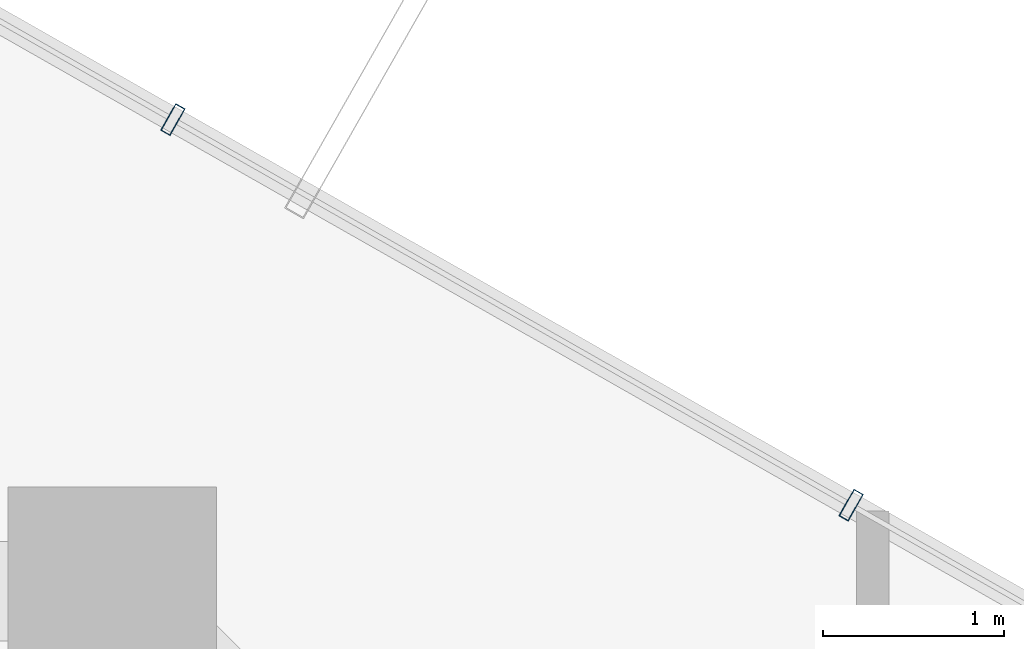
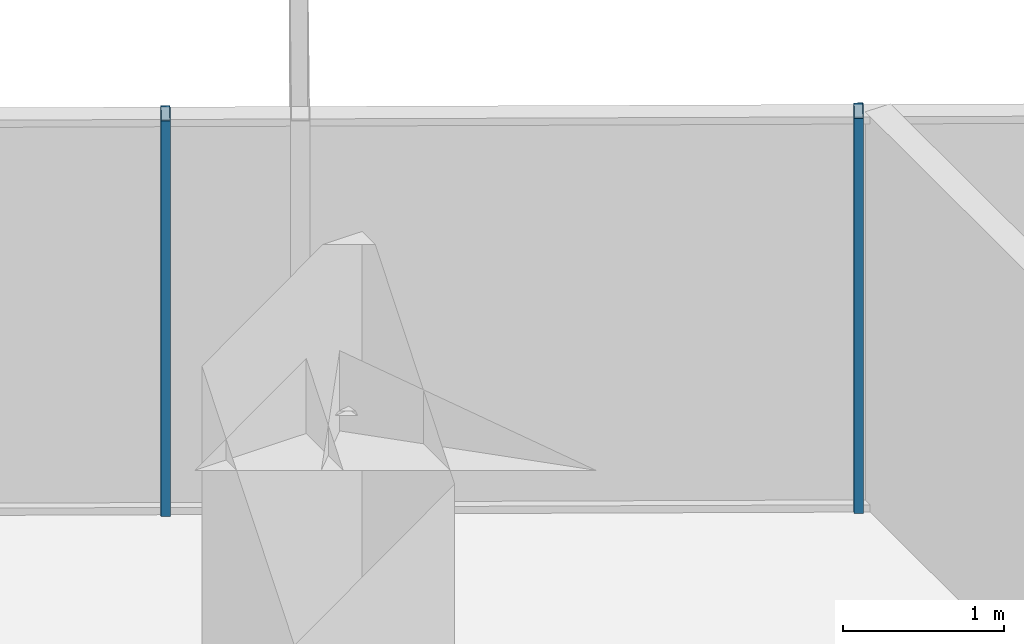
# One storey, part 21 of 30: 2 members, 1 element without a shape of its own.
"""IFC4 building model written with IfcOpenShell, lengths in metres."""

import ifcopenshell
import ifcopenshell.guid

model = None  # the IFC model being written
_history = None  # IfcOwnerHistory: only IFC2X3 demands one
_inside = {}  # id of a spatial element -> (the spatial element, [elements in it])
_under = {}  # id of a project, library or spatial element -> (it, [spatial elements below it])
_declared = {}  # id of a project -> (the project, [libraries it declares])
_typed = {}  # id of a type object -> (the type object, [elements of that type])
_made_of = {}  # id of a material, layer set ... -> (it, [elements and type objects made of it])


def new_model(schema):
    """Start an empty IFC model of exactly this schema.

    Asked for "IFC4X3", IfcOpenShell would pick the latest addendum, in which some entities
    have other attributes; the version numbers below select the first issue.
    IFC2X3 requires an IfcOwnerHistory on every rooted entity: one is made here for all.
    """
    global model, _history
    if schema == "IFC4X3":
        model = ifcopenshell.file(schema_version=(4, 3, 0, 0))
    else:
        model = ifcopenshell.file(schema=schema)
    _inside.clear()
    _under.clear()
    _declared.clear()
    _typed.clear()
    _made_of.clear()
    _history = None
    if model.schema == "IFC2X3":
        org = make("IfcOrganization", Name="unknown")
        user = make(
            "IfcPersonAndOrganization",
            ThePerson=make("IfcPerson", FamilyName="unknown"),
            TheOrganization=org,
        )
        app = make(
            "IfcApplication",
            ApplicationDeveloper=org,
            Version="unknown",
            ApplicationFullName="unknown",
            ApplicationIdentifier="unknown",
        )
        _history = make(
            "IfcOwnerHistory",
            OwningUser=user,
            OwningApplication=app,
            ChangeAction="ADDED",
            CreationDate=0,
        )
    return model


def make(cls, **values):
    """One entity of the class cls with the attributes given. An attribute that is None is left unset."""
    return model.create_entity(
        cls, **{name: value for name, value in values.items() if value is not None}
    )


def rooted(cls, **values):
    """An entity with a GlobalId (a new one), such as an element, a storey or a relation."""
    return make(cls, GlobalId=ifcopenshell.guid.new(), OwnerHistory=_history, **values)


def si_unit(unit_type, name, prefix=None):
    """IfcSIUnit, for example si_unit("LENGTHUNIT", "METRE", prefix="MILLI")."""
    return make("IfcSIUnit", UnitType=unit_type, Prefix=prefix, Name=name)


def assignment(units):
    """IfcUnitAssignment: the units of a project."""
    return None if units is None else make("IfcUnitAssignment", Units=units)


def point(xyz):
    """IfcCartesianPoint."""
    return None if xyz is None else make("IfcCartesianPoint", Coordinates=xyz)


def direction(xyz):
    """IfcDirection."""
    return None if xyz is None else make("IfcDirection", DirectionRatios=xyz)


def frame(location, z_axis=None, x_axis=None):
    """IfcAxis2Placement3D, a coordinate frame: its origin and axes. An axis left out is left unset."""
    return make(
        "IfcAxis2Placement3D",
        Location=point(location),
        Axis=direction(z_axis),
        RefDirection=direction(x_axis),
    )


def frame_2d(location, x_axis=None):
    """IfcAxis2Placement2D, a coordinate frame in the plane: its origin and x axis."""
    return make(
        "IfcAxis2Placement2D", Location=point(location), RefDirection=direction(x_axis)
    )


def origin():
    """The frame at (0, 0, 0) with its axes left unset."""
    return frame((0.0, 0.0, 0.0))


def origin_2d():
    """The frame at (0, 0) in the plane with its x axis left unset."""
    return frame_2d((0.0, 0.0))


def place(relative_to, where):
    """IfcLocalPlacement: puts the frame where relative to a parent placement (None: the world)."""
    return make(
        "IfcLocalPlacement", PlacementRelTo=relative_to, RelativePlacement=where
    )


def context(
    kind, dimensions, precision=None, world=None, true_north=None, identifier=None
):
    """IfcGeometricRepresentationContext, for example the 3D "Model" context."""
    return make(
        "IfcGeometricRepresentationContext",
        ContextIdentifier=identifier,
        ContextType=kind,
        CoordinateSpaceDimension=dimensions,
        Precision=precision,
        WorldCoordinateSystem=world,
        TrueNorth=true_north,
    )


def subcontext(parent, identifier, kind, view, scale=None):
    """IfcGeometricRepresentationSubContext, for example "Body" below "Model"."""
    return make(
        "IfcGeometricRepresentationSubContext",
        ContextIdentifier=identifier,
        ContextType=kind,
        ParentContext=parent,
        TargetScale=scale,
        TargetView=view,
    )


def project(units=None, contexts=None):
    """IfcProject with its units and contexts."""
    return rooted(
        "IfcProject",
        Name="project",
        RepresentationContexts=contexts,
        UnitsInContext=assignment(units),
    )


def spatial(cls, under=None, at=None, **own):
    """A site, building, storey or space (cls), placed at a placement, below another one or the project."""
    s = rooted(cls, ObjectPlacement=at, **own)
    if under is not None:
        _under.setdefault(under.id(), (under, []))[1].append(s)
    return s


def profile(cls, at=None, kind="AREA", **sizes):
    """A parametric profile (cls). Its sizes go by their IFC names, for example OverallWidth=200.0."""
    return make(cls, ProfileType=kind, Position=at, **sizes)


def hollow_rectangle(**sizes):
    """IfcRectangleHollowProfileDef."""
    return profile("IfcRectangleHollowProfileDef", **sizes)


def extrude(swept, where, along, depth):
    """IfcExtrudedAreaSolid: the profile swept, set in the frame where, extruded along a direction by depth."""
    return make(
        "IfcExtrudedAreaSolid",
        SweptArea=swept,
        Position=where,
        ExtrudedDirection=direction(along),
        Depth=depth,
    )


def shape(context_of_items, identifier, shape_type, items):
    """IfcShapeRepresentation: the items that make up one representation, for example the "Body"."""
    return make(
        "IfcShapeRepresentation",
        ContextOfItems=context_of_items,
        RepresentationIdentifier=identifier,
        RepresentationType=shape_type,
        Items=items,
    )


def source(mapping_origin, context_of_items, identifier, shape_type, items):
    """IfcRepresentationMap: a shape defined once, which mapped items show again and again."""
    return make(
        "IfcRepresentationMap",
        MappingOrigin=mapping_origin,
        MappedRepresentation=shape(context_of_items, identifier, shape_type, items),
    )


def transform(
    local_origin,
    x_axis=None,
    y_axis=None,
    z_axis=None,
    scale=None,
    scale2=None,
    scale3=None,
    uniform=True,
):
    """IfcCartesianTransformationOperator3D, or its non-uniform kind. x_axis, y_axis, z_axis: its Axis1, 2, 3."""
    if uniform:
        return make(
            "IfcCartesianTransformationOperator3D",
            Axis1=direction(x_axis),
            Axis2=direction(y_axis),
            LocalOrigin=point(local_origin),
            Scale=scale,
            Axis3=direction(z_axis),
        )
    return make(
        "IfcCartesianTransformationOperator3DnonUniform",
        Axis1=direction(x_axis),
        Axis2=direction(y_axis),
        LocalOrigin=point(local_origin),
        Scale=scale,
        Axis3=direction(z_axis),
        Scale2=scale2,
        Scale3=scale3,
    )


def mapped(mapping_source, mapping_target):
    """IfcMappedItem: shows the shape of a source again, moved by a transform."""
    return make(
        "IfcMappedItem", MappingSource=mapping_source, MappingTarget=mapping_target
    )


def material(Name=None, Category=None):
    """IfcMaterial."""
    return make("IfcMaterial", Name=Name, Category=Category)


def layer(
    of_material, thickness, ventilated=None, Name=None, Category=None, Priority=None
):
    """IfcMaterialLayer: one layer of a wall or slab, of a material (None: an air gap)."""
    return make(
        "IfcMaterialLayer",
        Material=of_material,
        LayerThickness=thickness,
        IsVentilated=ventilated,
        Name=Name,
        Category=Category,
        Priority=Priority,
    )


def layer_set(layers, Name=None):
    """IfcMaterialLayerSet."""
    return make("IfcMaterialLayerSet", MaterialLayers=layers, LayerSetName=Name)


def material_profile(
    of_material, cross_section, Name=None, Category=None, Priority=None
):
    """IfcMaterialProfile: a cross section and its material."""
    return make(
        "IfcMaterialProfile",
        Name=Name,
        Material=of_material,
        Profile=cross_section,
        Priority=Priority,
        Category=Category,
    )


def profile_set(profiles, Name=None, composite=None):
    """IfcMaterialProfileSet."""
    return make(
        "IfcMaterialProfileSet",
        Name=Name,
        MaterialProfiles=profiles,
        CompositeProfile=composite,
    )


def made_of(thing, what):
    """Note that an element or type object is made of a material, layer set ...; save() writes the relation."""
    if what is not None:
        _made_of.setdefault(what.id(), (what, []))[1].append(thing)
    return thing


def type_object(cls, material=None, **own):
    """A type object (cls), such as IfcWallType, which elements share."""
    return made_of(rooted(cls, **own), material)


def element(
    cls,
    number,
    at=None,
    inside=None,
    cuts=None,
    type_object=None,
    material=None,
    context=None,
    identifier="Body",
    shape_type=None,
    held_by="IfcProductDefinitionShape",
    body=None,
    shapes=None,
    **own,
):
    """One element of the class cls, such as IfcWall. Its Tag is "e" and its number.

    at: its placement. inside: the storey or other place that contains it. cuts: it is an
    opening in that element (IfcRelVoidsElement). A single representation is given by context,
    identifier, shape_type and body (its items); several are given by shapes. held_by: the class
    of the entity that holds the representations. save() writes the other relations.
    """
    e = rooted(cls, Tag="e%d" % number, ObjectPlacement=at, **own)
    if body is not None:
        shapes = [shape(context, identifier, shape_type, body)]
    if shapes is not None:
        e.Representation = make(held_by, Representations=shapes)
    if inside is not None:
        _inside.setdefault(inside.id(), (inside, []))[1].append(e)
    if cuts is not None:
        rooted(
            "IfcRelVoidsElement", RelatingBuildingElement=cuts, RelatedOpeningElement=e
        )
    if type_object is not None:
        _typed.setdefault(type_object.id(), (type_object, []))[1].append(e)
    return made_of(e, material)


def aggregate(whole, parts):
    """IfcRelAggregates: a whole, such as a stair, and the parts it consists of."""
    return rooted("IfcRelAggregates", RelatingObject=whole, RelatedObjects=parts)


def save(model, path):
    """Write the relations noted so far, then the file.

    IfcRelAggregates (storeys below a building ...), IfcRelContainedInSpatialStructure (elements
    in a storey), IfcRelDefinesByType, IfcRelAssociatesMaterial and IfcRelDeclares: one each for
    every whole, place, type object, material and project.
    """
    for whole, parts in _under.values():
        aggregate(whole, parts)
    for where, things in _inside.values():
        rooted(
            "IfcRelContainedInSpatialStructure",
            RelatedElements=things,
            RelatingStructure=where,
        )
    for kind, things in _typed.values():
        rooted("IfcRelDefinesByType", RelatedObjects=things, RelatingType=kind)
    for what, things in _made_of.values():
        rooted("IfcRelAssociatesMaterial", RelatedObjects=things, RelatingMaterial=what)
    for by, libraries in _declared.values():
        rooted("IfcRelDeclares", RelatingContext=by, RelatedDefinitions=libraries)
    model.write(path)


model = new_model("IFC4")

# Units and contexts
model_context = context("Model", 3, precision=1e-05, world=origin(), true_north=direction((0.0, 1.0)))
body_context = subcontext(model_context, "Body", "Model", "MODEL_VIEW")
ifc_project = project(units=[si_unit("LENGTHUNIT", "METRE"), si_unit("AREAUNIT", "SQUARE_METRE"), si_unit("VOLUMEUNIT", "CUBIC_METRE"), si_unit("PLANEANGLEUNIT", "RADIAN"), si_unit("MASSUNIT", "GRAM", prefix="KILO")], contexts=[model_context])

# Site, building, storey
site_placement = place(None, origin())
site = spatial("IfcSite", under=ifc_project, at=site_placement, CompositionType="ELEMENT")
building_placement = place(site_placement, origin())
building = spatial("IfcBuilding", under=site, at=building_placement, Name="Veraguas Prism Commons", CompositionType="ELEMENT")
storey_placement = place(building_placement, frame((0.0, 0.0, 129.5)))
storey = spatial("IfcBuildingStorey", under=building, at=storey_placement, Name="L36", CompositionType="ELEMENT", Elevation=129.5)

# Curtain wall, members
ifc_material = material(Name="Anodised aluminium EN AW-6063 T6", Category="aluminium")
ifc_layer = layer(ifc_material, 0.169921875, Name="Unitised Flush Curtain Wall Zone 2", Category="aluminium")
ifc_layer_set = layer_set([ifc_layer], Name="Anodised aluminium EN AW-6063 T6")
curtain_wall_type = type_object("IfcCurtainWallType", Name="Unitised Flush Curtain Wall Zone 2", PredefinedType="NOTDEFINED", material=ifc_layer_set)
curtain_wall_placement = place(storey_placement, origin())
curtain_wall = element("IfcCurtainWall", 1, at=curtain_wall_placement, inside=storey, type_object=curtain_wall_type, Name="Tower Facade Curtain Wall L36-F1", PredefinedType="NOTDEFINED")
ifc_material_profile = material_profile(ifc_material, hollow_rectangle(XDim=0.06005859375, YDim=0.169921875, WallThickness=0.00390625, at=origin_2d()), Name="AL60X170X4")
ifc_profile_set = profile_set([ifc_material_profile], Name="Anodised aluminium EN AW-6063 T6")
member_type = type_object("IfcMemberType", Name="Curtain Wall Mullion Lower AL 60x170x4", PredefinedType="MULLION", material=ifc_profile_set)
shared_shape = source(origin(), body_context, "Body", "SweptSolid", [
    extrude(hollow_rectangle(XDim=0.06005859375, YDim=0.169921875, WallThickness=0.00390625, at=origin_2d()), origin(), (0.0, 0.0, 1.0), 3.0),
])
member_1_placement = place(storey_placement, frame((33.48095703125, 40.67578125, 0.0), z_axis=(0.0, 0.0, 1.0), x_axis=(-0.869323320918, 0.494243830218, 0.0)))
member_1 = element("IfcMember", 2, at=member_1_placement, type_object=member_type, Name="CW-Z2 Mullion 3", PredefinedType="MULLION", context=body_context, shape_type="MappedRepresentation", body=[
    mapped(shared_shape, transform((0.0, 0.0, 0.0), scale=1.0)),
])
member_2_placement = place(storey_placement, frame((29.7353515625, 42.80517578125, 0.0), z_axis=(0.0, 0.0, 1.0), x_axis=(-0.869323320918, 0.494243830218, 0.0)))
member_2 = element("IfcMember", 3, at=member_2_placement, type_object=member_type, Name="CW-Z2 Mullion 4", PredefinedType="MULLION", context=body_context, shape_type="MappedRepresentation", body=[
    mapped(shared_shape, transform((0.0, 0.0, 0.0), scale=1.0)),
])
aggregate(curtain_wall, [member_1, member_2])

save(model, "model.ifc")
